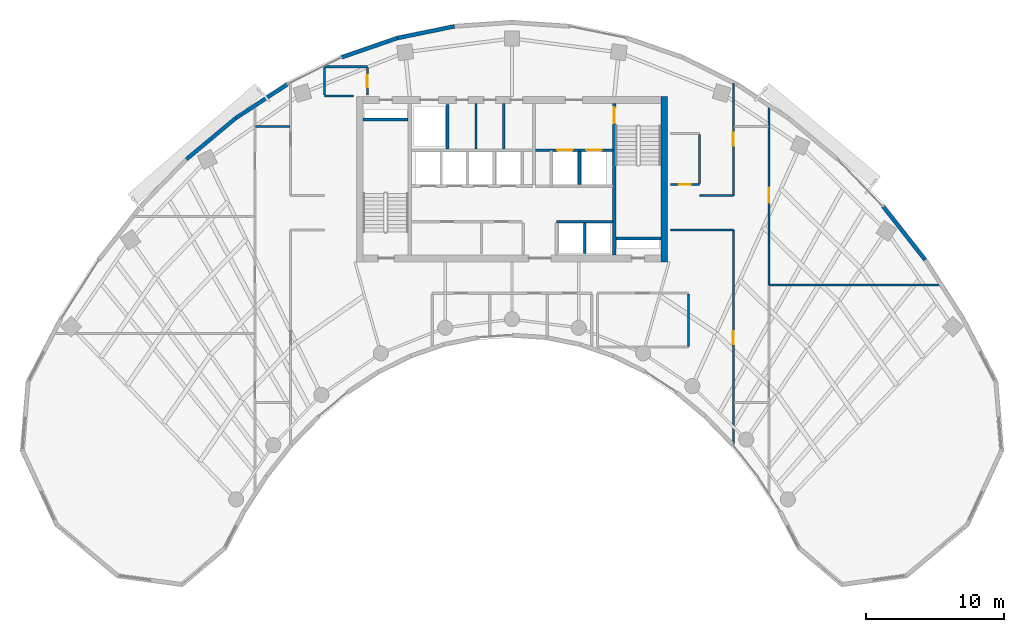
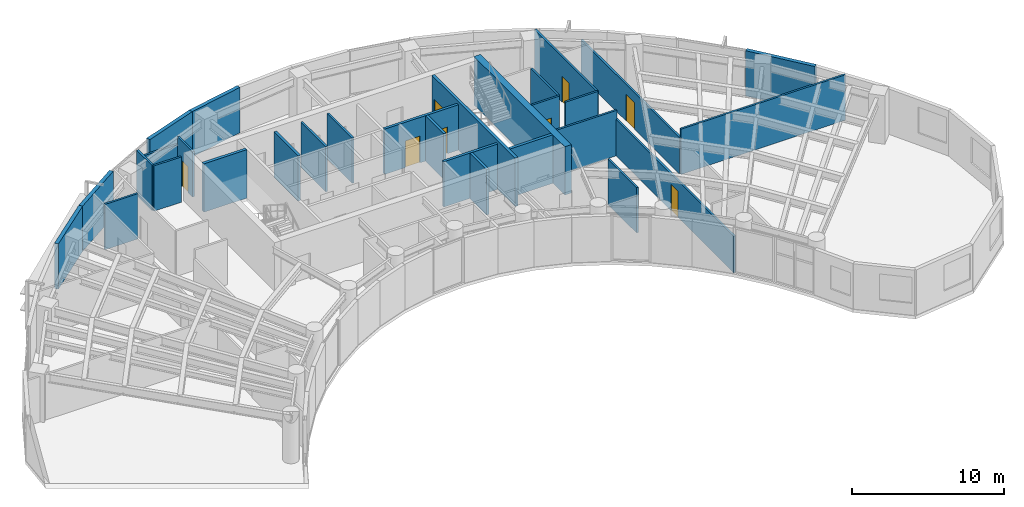
# One storey, part 9 of 13: 30 walls, 8 doors, 8 openings.
"""IFC4 building model written with IfcOpenShell, lengths in metres."""

from ifc_helpers import new_model, si_unit, direction, frame, frame_2d, origin, place, context, subcontext, project, spatial, rectangle, extrude, source, transform, mapped, material, layer, layer_set, type_object, type_shapes, element, fill, save


model = new_model("IFC4")

# Units and contexts
model_context = context("Model", 3, precision=1e-05, world=origin(), true_north=direction((0.0, 1.0)))
body_context = subcontext(model_context, "Body", "Model", "MODEL_VIEW")
ifc_project = project(units=[si_unit("LENGTHUNIT", "METRE"), si_unit("AREAUNIT", "SQUARE_METRE"), si_unit("VOLUMEUNIT", "CUBIC_METRE"), si_unit("PLANEANGLEUNIT", "RADIAN"), si_unit("MASSUNIT", "GRAM", prefix="KILO")], contexts=[model_context])

# Site, building, storey
site_placement = place(None, origin())
site = spatial("IfcSite", under=ifc_project, at=site_placement, CompositionType="ELEMENT")
building_placement = place(site_placement, origin())
building = spatial("IfcBuilding", under=site, at=building_placement, Name="Breltana Convention Tower", CompositionType="ELEMENT")
storey_placement = place(building_placement, frame((0.0, 0.0, 142.800048828125)))
storey = spatial("IfcBuildingStorey", under=building, at=storey_placement, Name="L34", CompositionType="ELEMENT", Elevation=142.800048828125)

# Walls
ifc_material_1 = material(Name="Concrete C60/75", Category="concrete")
ifc_layer_1 = layer(ifc_material_1, 0.5, Name="Concrete C60/75")
ifc_layer_set_1 = layer_set([ifc_layer_1], Name="Concrete C60/75")
wall_type_1 = type_object("IfcWallType", Name="SW-CORE-500", PredefinedType="SHEAR", material=ifc_layer_set_1)
shared_shape_1 = source(origin(), body_context, "Body", "SweptSolid", [
    extrude(rectangle(XDim=12.0, YDim=0.5, at=frame_2d((6.0, 0.0))), origin(), (0.0, 0.0, 1.0), 3.89990234375),
])
wall_1_placement = place(storey_placement, frame((59.050048828125, 60.199951171875, 0.0), z_axis=(0.0, 0.0, 1.0), x_axis=(0.0, 1.0, 0.0)))
element("IfcWall", 1, at=wall_1_placement, inside=storey, type_object=wall_type_1, Name="L34 East Core Shear Wall", PredefinedType="SHEAR", context=body_context, shape_type="MappedRepresentation", body=[
    mapped(shared_shape_1, transform((0.0, 0.0, 0.0), scale=1.0)),
])
ifc_material_2 = material(Name="Concrete C50/60", Category="concrete")
ifc_layer_2 = layer(ifc_material_2, 0.39990234375, Name="Concrete C50/60")
ifc_layer_set_2 = layer_set([ifc_layer_2], Name="Concrete C50/60")
wall_type_2 = type_object("IfcWallType", Name="SW-CORE-400", PredefinedType="SHEAR", material=ifc_layer_set_2)
shared_shape_2 = source(origin(), body_context, "Body", "SweptSolid", [
    extrude(rectangle(XDim=3.27001953125, YDim=0.219970703125, at=frame_2d((1.635009765625, 0.0))), origin(), (0.0, 0.0, 1.0), 3.89990234375),
])
for number, where, z_axis, x_axis, name in (
    (2, (37.199951171875, 70.510009765625, 0.0), (0.0, 0.0, 1.0), (1.0, 0.0, 0.0), "L34 ST-1 Stairwell North Bearing Wall"),
    (3, (55.530029296875, 61.889892578125, 0.0), (0.0, 0.0, 1.0), (1.0, 0.0, 0.0), "L34 ST-2 Stairwell South Bearing Wall"),
):
    element("IfcWall", number, at=place(storey_placement, frame(where, z_axis=z_axis, x_axis=x_axis)), inside=storey, type_object=wall_type_2, Name=name, PredefinedType="SHEAR", context=body_context, shape_type="MappedRepresentation", body=[
        mapped(shared_shape_2, transform((0.0, 0.0, 0.0), scale=1.0)),
    ])

# Wall, opening, door
shared_shape_3 = source(origin(), body_context, "Body", "SweptSolid", [
    extrude(rectangle(XDim=11.0, YDim=0.219970703125, at=frame_2d((5.5, 0.0))), origin(), (0.0, 0.0, 1.0), 3.89990234375),
])
wall_2_placement = place(storey_placement, frame((55.419921875, 60.699951171875, 0.0), z_axis=(0.0, 0.0, 1.0), x_axis=(0.0, 1.0, 0.0)))
wall_2 = element("IfcWall", 4, at=wall_2_placement, inside=storey, type_object=wall_type_2, Name="L34 Core East Stair Spine Wall", PredefinedType="SHEAR", context=body_context, shape_type="MappedRepresentation", body=[
    mapped(shared_shape_3, transform((0.0, 0.0, 0.0), scale=1.0)),
])
opening_1_placement = place(wall_2_placement, frame((9.544921875, 0.0, 0.0)))
opening_1 = element("IfcOpeningElement", 5, at=opening_1_placement, cuts=wall_2, Name="Opening D-11", PredefinedType="OPENING", context=body_context, shape_type="SweptSolid", body=[
    extrude(rectangle(XDim=1.14990234375, YDim=2.14990234375, at=frame_2d((0.574951171875, 1.074951171875))), frame((0.0, 0.1201171875, 0.0), z_axis=(0.0, -1.0, 0.0), x_axis=(1.0, 0.0, 0.0)), (0.0, 0.0, 1.0), 0.239990234375),
])
ifc_material_3 = material(Name="Steel Stair Exit Door", Category="steel")
door_type_1 = type_object("IfcDoorType", Name="DR-FD120-1150", OperationType="NOTDEFINED", PredefinedType="DOOR", material=ifc_material_3)
shared_shape_4 = source(origin(), body_context, "Body", "SweptSolid", [
    extrude(rectangle(XDim=1.14990234375, YDim=2.14990234375, at=frame_2d((0.574951171875, 1.074951171875))), frame((0.0, 0.02490234375, 0.0), z_axis=(0.0, -1.0, 0.0), x_axis=(1.0, 0.0, 0.0)), (0.0, 0.0, 1.0), 0.050048828125),
])
type_shapes(door_type_1, [shared_shape_4])
door_1_placement = place(opening_1_placement, origin())
door_1 = element("IfcDoor", 6, at=door_1_placement, inside=storey, type_object=door_type_1, Name="L34 interior door D-L34-ST2", OperationType="SINGLE_SWING_LEFT", OverallHeight=2.14990234375, OverallWidth=1.14990234375, PredefinedType="DOOR", context=body_context, shape_type="MappedRepresentation", body=[
    mapped(shared_shape_4, transform((0.0, 0.0, 0.0), scale=1.0)),
])
fill(opening_1, door_1)

# Walls
ifc_material_4 = material(Name="Limestone Buff Insulated Wall", Category="masonry")
ifc_layer_3 = layer(ifc_material_4, 0.280029296875, Name="Limestone Buff Insulated Wall")
ifc_layer_set_3 = layer_set([ifc_layer_3], Name="Limestone Buff Insulated Wall")
wall_type_3 = type_object("IfcWallType", Name="WL-EXT-NOSE-280", PredefinedType="SOLIDWALL", material=ifc_layer_set_3)
shared_shape_5 = source(origin(), body_context, "Body", "SweptSolid", [
    extrude(rectangle(XDim=4.921630859375, YDim=0.280029296875, at=frame_2d((2.4609375, 0.0))), origin(), (0.0, 0.0, 1.0), 3.64990234375),
])
wall_3_placement = place(storey_placement, frame((74.936279296875, 64.206298828125, 0.0), z_axis=(0.0, 0.0, 1.0), x_axis=(0.61817639101, -0.786039407153, 0.0)))
element("IfcWall", 7, at=wall_3_placement, inside=storey, type_object=wall_type_3, Name="L34 curved limestone nose wall E32", PredefinedType="SOLIDWALL", context=body_context, shape_type="MappedRepresentation", body=[
    mapped(shared_shape_5, transform((0.0, 0.0, 0.0), scale=1.0)),
])
shared_shape_6 = source(origin(), body_context, "Body", "SweptSolid", [
    extrude(rectangle(XDim=4.633544921875, YDim=0.280029296875, at=frame_2d((2.31689453125, 0.0))), origin(), (0.0, 0.0, 1.0), 3.64990234375),
])
wall_4_placement = place(storey_placement, frame((24.381103515625, 67.64208984375, 0.0), z_axis=(0.0, 0.0, 1.0), x_axis=(0.767910229096, 0.640557475993, 0.0)))
element("IfcWall", 8, at=wall_4_placement, inside=storey, type_object=wall_type_3, Name="L34 curved limestone nose wall E22", PredefinedType="SOLIDWALL", context=body_context, shape_type="MappedRepresentation", body=[
    mapped(shared_shape_6, transform((0.0, 0.0, 0.0), scale=1.0)),
])
shared_shape_7 = source(origin(), body_context, "Body", "SweptSolid", [
    extrude(rectangle(XDim=4.500732421875, YDim=0.280029296875, at=frame_2d((2.25048828125, 0.0))), origin(), (0.0, 0.0, 1.0), 3.64990234375),
])
wall_5_placement = place(storey_placement, frame((27.939208984375, 70.610107421875, 0.0), z_axis=(0.0, 0.0, 1.0), x_axis=(0.835984920737, 0.548752414391, 0.0)))
element("IfcWall", 9, at=wall_5_placement, inside=storey, type_object=wall_type_3, Name="L34 curved limestone nose wall E23", PredefinedType="SOLIDWALL", context=body_context, shape_type="MappedRepresentation", body=[
    mapped(shared_shape_7, transform((0.0, 0.0, 0.0), scale=1.0)),
])
shared_shape_8 = source(origin(), body_context, "Body", "SweptSolid", [
    extrude(rectangle(XDim=4.289794921875, YDim=0.280029296875, at=frame_2d((2.14501953125, 0.0))), origin(), (0.0, 0.0, 1.0), 3.64990234375),
])
wall_6_placement = place(storey_placement, frame((35.629638671875, 75.02685546875, 0.0), z_axis=(0.0, 0.0, 1.0), x_axis=(0.944883859218, 0.3274057003, 0.0)))
element("IfcWall", 10, at=wall_6_placement, inside=storey, type_object=wall_type_3, Name="L34 curved limestone nose wall E24", PredefinedType="SOLIDWALL", context=body_context, shape_type="MappedRepresentation", body=[
    mapped(shared_shape_8, transform((0.0, 0.0, 0.0), scale=1.0)),
])
shared_shape_9 = source(origin(), body_context, "Body", "SweptSolid", [
    extrude(rectangle(XDim=4.223388671875, YDim=0.280029296875, at=frame_2d((2.11181640625, 0.0))), origin(), (0.0, 0.0, 1.0), 3.64990234375),
])
wall_7_placement = place(storey_placement, frame((39.68310546875, 76.431396484375, 0.0), z_axis=(0.0, 0.0, 1.0), x_axis=(0.979615245085, 0.200882979858, 0.0)))
element("IfcWall", 11, at=wall_7_placement, inside=storey, type_object=wall_type_3, Name="L34 curved limestone nose wall E25", PredefinedType="SOLIDWALL", context=body_context, shape_type="MappedRepresentation", body=[
    mapped(shared_shape_9, transform((0.0, 0.0, 0.0), scale=1.0)),
])

# Wall, openings, doors
ifc_material_5 = material(Name="Autoclaved Aerated Concrete Block", Category="concrete")
ifc_layer_4 = layer(ifc_material_5, 0.199951171875, Name="Autoclaved Aerated Concrete Block")
ifc_layer_set_4 = layer_set([ifc_layer_4], Name="Autoclaved Aerated Concrete Block")
wall_type_4 = type_object("IfcWallType", Name="WL-SHAFT-200", PredefinedType="SOLIDWALL", material=ifc_layer_set_4)
shared_shape_10 = source(origin(), body_context, "Body", "SweptSolid", [
    extrude(rectangle(XDim=5.6201171875, YDim=0.199951171875, at=frame_2d((2.81005859375, 0.0))), origin(), (0.0, 0.0, 1.0), 3.64990234375),
])
wall_8_placement = place(storey_placement, frame((49.699951171875, 68.300048828125, 0.0), z_axis=(0.0, 0.0, 1.0), x_axis=(1.0, 0.0, 0.0)))
wall_8 = element("IfcWall", 12, at=wall_8_placement, inside=storey, type_object=wall_type_4, Name="L34 interior partition W-L34-FFL-S", PredefinedType="SOLIDWALL", context=body_context, shape_type="MappedRepresentation", body=[
    mapped(shared_shape_10, transform((0.0, 0.0, 0.0), scale=1.0)),
])
opening_2_placement = place(wall_8_placement, frame((1.60009765625, 0.0, 0.0)))
opening_2 = element("IfcOpeningElement", 13, at=opening_2_placement, cuts=wall_8, Name="Opening LD-03", PredefinedType="OPENING", context=body_context, shape_type="SweptSolid", body=[
    extrude(rectangle(XDim=1.10009765625, YDim=2.14990234375, at=frame_2d((0.550048828125, 1.074951171875))), frame((0.0, 0.10986328125, 0.0), z_axis=(0.0, -1.0, 0.0), x_axis=(1.0, 0.0, 0.0)), (0.0, 0.0, 1.0), 0.219970703125),
])
opening_3_placement = place(wall_8_placement, frame((3.699951171875, 0.0, 0.0)))
opening_3 = element("IfcOpeningElement", 14, at=opening_3_placement, cuts=wall_8, Name="Opening LD-03", PredefinedType="OPENING", context=body_context, shape_type="SweptSolid", body=[
    extrude(rectangle(XDim=1.10009765625, YDim=2.14990234375, at=frame_2d((0.550048828125, 1.074951171875))), frame((0.0, 0.10986328125, 0.0), z_axis=(0.0, -1.0, 0.0), x_axis=(1.0, 0.0, 0.0)), (0.0, 0.0, 1.0), 0.219970703125),
])
ifc_material_6 = material(Name="Stainless Steel Brushed", Category="steel")
door_type_2 = type_object("IfcDoorType", Name="DR-LD-FF-1100", OperationType="DOUBLE_DOOR_SLIDING", PredefinedType="DOOR", material=ifc_material_6)
shared_shape_11 = source(origin(), body_context, "Body", "SweptSolid", [
    extrude(rectangle(XDim=1.10009765625, YDim=2.14990234375, at=frame_2d((0.550048828125, 1.074951171875))), frame((0.0, 0.02490234375, 0.0), z_axis=(0.0, -1.0, 0.0), x_axis=(1.0, 0.0, 0.0)), (0.0, 0.0, 1.0), 0.050048828125),
])
type_shapes(door_type_2, [shared_shape_11])
door_2_placement = place(opening_2_placement, origin())
door_2 = element("IfcDoor", 15, at=door_2_placement, inside=storey, type_object=door_type_2, Name="L34 Lift Landing Door D-L34-LD-FL1", OperationType="DOUBLE_DOOR_SLIDING", OverallHeight=2.14990234375, OverallWidth=1.10009765625, PredefinedType="DOOR", context=body_context, shape_type="MappedRepresentation", body=[
    mapped(shared_shape_11, transform((0.0, 0.0, 0.0), scale=1.0)),
])
fill(opening_2, door_2)
door_3_placement = place(opening_3_placement, origin())
door_3 = element("IfcDoor", 16, at=door_3_placement, inside=storey, type_object=door_type_2, Name="L34 Lift Landing Door D-L34-LD-FL2", OperationType="DOUBLE_DOOR_SLIDING", OverallHeight=2.14990234375, OverallWidth=1.10009765625, PredefinedType="DOOR", context=body_context, shape_type="MappedRepresentation", body=[
    mapped(shared_shape_11, transform((0.0, 0.0, 0.0), scale=1.0)),
])
fill(opening_3, door_3)

# Walls
shared_shape_12 = source(origin(), body_context, "Body", "SweptSolid", [
    extrude(rectangle(XDim=2.39990234375, YDim=0.199951171875, at=frame_2d((1.199951171875, 0.0))), origin(), (0.0, 0.0, 1.0), 3.64990234375),
])
wall_9_placement = place(storey_placement, frame((52.89990234375, 65.800048828125, 0.0), z_axis=(0.0, 0.0, 1.0), x_axis=(0.0, 1.0, 0.0)))
element("IfcWall", 17, at=wall_9_placement, inside=storey, type_object=wall_type_4, Name="L34 interior partition W-L34-FL-DIV", PredefinedType="SOLIDWALL", context=body_context, shape_type="MappedRepresentation", body=[
    mapped(shared_shape_12, transform((0.0, 0.0, 0.0), scale=1.0)),
])
shared_shape_13 = source(origin(), body_context, "Body", "SweptSolid", [
    extrude(rectangle(XDim=3.2001953125, YDim=0.199951171875, at=frame_2d((1.60009765625, 0.0))), origin(), (0.0, 0.0, 1.0), 3.64990234375),
])
wall_10_placement = place(storey_placement, frame((43.320068359375, 68.39990234375, 0.0), z_axis=(0.0, 0.0, 1.0), x_axis=(0.0, 1.0, 0.0)))
element("IfcWall", 18, at=wall_10_placement, inside=storey, type_object=wall_type_4, Name="L34 interior partition W-L34-SV-E", PredefinedType="SOLIDWALL", context=body_context, shape_type="MappedRepresentation", body=[
    mapped(shared_shape_13, transform((0.0, 0.0, 0.0), scale=1.0)),
])
shared_shape_14 = source(origin(), body_context, "Body", "SweptSolid", [
    extrude(rectangle(XDim=4.10009765625, YDim=0.199951171875, at=frame_2d((2.050048828125, 0.0))), origin(), (0.0, 0.0, 1.0), 3.64990234375),
])
wall_11_placement = place(storey_placement, frame((51.219970703125, 63.10009765625, 0.0), z_axis=(0.0, 0.0, 1.0), x_axis=(1.0, 0.0, 0.0)))
element("IfcWall", 19, at=wall_11_placement, inside=storey, type_object=wall_type_4, Name="L34 interior partition W-L34-SH-X-FRONT", PredefinedType="SOLIDWALL", context=body_context, shape_type="MappedRepresentation", body=[
    mapped(shared_shape_14, transform((0.0, 0.0, 0.0), scale=1.0)),
])
shared_shape_15 = source(origin(), body_context, "Body", "SweptSolid", [
    extrude(rectangle(XDim=2.199951171875, YDim=0.199951171875, at=frame_2d((1.10009765625, 0.0))), origin(), (0.0, 0.0, 1.0), 3.64990234375),
])
wall_12_placement = place(storey_placement, frame((53.280029296875, 60.800048828125, 0.0), z_axis=(0.0, 0.0, 1.0), x_axis=(0.0, 1.0, 0.0)))
element("IfcWall", 20, at=wall_12_placement, inside=storey, type_object=wall_type_4, Name="L34 interior partition W-L34-SH-X-DIV", PredefinedType="SOLIDWALL", context=body_context, shape_type="MappedRepresentation", body=[
    mapped(shared_shape_15, transform((0.0, 0.0, 0.0), scale=1.0)),
])
ifc_material_7 = material(Name="Gypsum Acoustic Drywall Partition")
ifc_layer_5 = layer(ifc_material_7, 0.14990234375, Name="Gypsum Acoustic Drywall Partition")
ifc_layer_set_5 = layer_set([ifc_layer_5], Name="Gypsum Acoustic Drywall Partition")
wall_type_5 = type_object("IfcWallType", Name="WL-PART-150", PredefinedType="PARTITIONING", material=ifc_layer_set_5)
shared_shape_16 = source(origin(), body_context, "Body", "SweptSolid", [
    extrude(rectangle(XDim=3.78515625, YDim=0.14990234375, at=frame_2d((1.892578125, 0.0))), origin(), (0.0, 0.0, 1.0), 3.64990234375),
])
wall_13_placement = place(storey_placement, frame((60.800048828125, 54.0673828125, 0.0), z_axis=(0.0, 0.0, 1.0), x_axis=(0.0, 1.0, 0.0)))
element("IfcWall", 21, at=wall_13_placement, inside=storey, type_object=wall_type_5, Name="L34 interior partition W-L34-PNT-E", PredefinedType="PARTITIONING", context=body_context, shape_type="MappedRepresentation", body=[
    mapped(shared_shape_16, transform((0.0, 0.0, 0.0), scale=1.0)),
])
shared_shape_17 = source(origin(), body_context, "Body", "SweptSolid", [
    extrude(rectangle(XDim=2.5, YDim=0.14990234375, at=frame_2d((1.25, 0.0))), origin(), (0.0, 0.0, 1.0), 3.64990234375),
])
wall_14_placement = place(storey_placement, frame((29.39990234375, 70.0, 0.0), z_axis=(0.0, 0.0, 1.0), x_axis=(1.0, 0.0, 0.0)))
element("IfcWall", 22, at=wall_14_placement, inside=storey, type_object=wall_type_5, Name="L34 interior partition W-L34-CORNW-N", PredefinedType="PARTITIONING", context=body_context, shape_type="MappedRepresentation", body=[
    mapped(shared_shape_17, transform((0.0, 0.0, 0.0), scale=1.0)),
])
shared_shape_18 = source(origin(), body_context, "Body", "SweptSolid", [
    extrude(rectangle(XDim=3.280029296875, YDim=0.14990234375, at=frame_2d((1.64013671875, 0.0))), origin(), (0.0, 0.0, 1.0), 3.64990234375),
])
for number, where, z_axis, x_axis, name in (
    (23, (45.39990234375, 68.39990234375, 0.0), (0.0, 0.0, 1.0), (0.0, 1.0, 0.0), "L34 interior partition W-L34-KV-1"),
    (24, (47.39990234375, 68.39990234375, 0.0), (0.0, 0.0, 1.0), (0.0, 1.0, 0.0), "L34 interior partition W-L34-KV-2"),
):
    element("IfcWall", number, at=place(storey_placement, frame(where, z_axis=z_axis, x_axis=x_axis)), inside=storey, type_object=wall_type_5, Name=name, PredefinedType="PARTITIONING", context=body_context, shape_type="MappedRepresentation", body=[
        mapped(shared_shape_18, transform((0.0, 0.0, 0.0), scale=1.0)),
    ])
shared_shape_19 = source(origin(), body_context, "Body", "SweptSolid", [
    extrude(rectangle(XDim=2.10009765625, YDim=0.14990234375, at=frame_2d((1.050048828125, 0.0))), origin(), (0.0, 0.0, 1.0), 3.64990234375),
])
wall_15_placement = place(storey_placement, frame((34.39990234375, 72.219970703125, 0.0), z_axis=(0.0, 0.0, 1.0), x_axis=(1.0, 0.0, 0.0)))
element("IfcWall", 25, at=wall_15_placement, inside=storey, type_object=wall_type_5, Name="L34 interior partition W-L34-CRNE-S", PredefinedType="PARTITIONING", context=body_context, shape_type="MappedRepresentation", body=[
    mapped(shared_shape_19, transform((0.0, 0.0, 0.0), scale=1.0)),
])

# Wall, opening, door
wall_16_placement = place(storey_placement, frame((59.5, 65.800048828125, 0.0), z_axis=(0.0, 0.0, 1.0), x_axis=(1.0, 0.0, 0.0)))
wall_16 = element("IfcWall", 26, at=wall_16_placement, inside=storey, type_object=wall_type_5, Name="L34 interior partition W-L34-CRSE-S", PredefinedType="PARTITIONING", context=body_context, shape_type="MappedRepresentation", body=[
    mapped(shared_shape_19, transform((0.0, 0.0, 0.0), scale=1.0)),
])
opening_4_placement = place(wall_16_placement, frame((0.625, 0.0, 0.0)))
opening_4 = element("IfcOpeningElement", 27, at=opening_4_placement, cuts=wall_16, Name="Opening D-20", PredefinedType="OPENING", context=body_context, shape_type="SweptSolid", body=[
    extrude(rectangle(XDim=0.85009765625, YDim=2.10009765625, at=frame_2d((0.425048828125, 1.050048828125))), frame((0.0, 0.0849609375, 0.0), z_axis=(0.0, -1.0, 0.0), x_axis=(1.0, 0.0, 0.0)), (0.0, 0.0, 1.0), 0.169921875),
])
ifc_material_8 = material(Name="Steel Closet Fire Door", Category="steel")
door_type_3 = type_object("IfcDoorType", Name="DR-FD60-850", OperationType="NOTDEFINED", PredefinedType="DOOR", material=ifc_material_8)
shared_shape_20 = source(origin(), body_context, "Body", "SweptSolid", [
    extrude(rectangle(XDim=0.85009765625, YDim=2.10009765625, at=frame_2d((0.425048828125, 1.050048828125))), frame((0.0, 0.02490234375, 0.0), z_axis=(0.0, -1.0, 0.0), x_axis=(1.0, 0.0, 0.0)), (0.0, 0.0, 1.0), 0.050048828125),
])
type_shapes(door_type_3, [shared_shape_20])
door_4_placement = place(opening_4_placement, origin())
door_4 = element("IfcDoor", 28, at=door_4_placement, inside=storey, type_object=door_type_3, Name="L34 interior door D-L34-CRSE", OperationType="SINGLE_SWING_RIGHT", OverallHeight=2.10009765625, OverallWidth=0.85009765625, PredefinedType="DOOR", context=body_context, shape_type="MappedRepresentation", body=[
    mapped(shared_shape_20, transform((0.0, 0.0, 0.0), scale=1.0)),
])
fill(opening_4, door_4)

# Wall
shared_shape_21 = source(origin(), body_context, "Body", "SweptSolid", [
    extrude(rectangle(XDim=1.994873046875, YDim=0.14990234375, at=frame_2d((0.99755859375, 0.0))), origin(), (0.0, 0.0, 1.0), 3.64990234375),
])
wall_17_placement = place(storey_placement, frame((34.39990234375, 72.28759765625, 0.0), z_axis=(0.0, 0.0, 1.0), x_axis=(0.0, 1.0, 0.0)))
element("IfcWall", 29, at=wall_17_placement, inside=storey, type_object=wall_type_5, Name="L34 interior partition W-L34-CRNE-W", PredefinedType="PARTITIONING", context=body_context, shape_type="MappedRepresentation", body=[
    mapped(shared_shape_21, transform((0.0, 0.0, 0.0), scale=1.0)),
])

# Wall, opening, door
shared_shape_22 = source(origin(), body_context, "Body", "SweptSolid", [
    extrude(rectangle(XDim=1.982421875, YDim=0.14990234375, at=frame_2d((0.9912109375, 0.0))), origin(), (0.0, 0.0, 1.0), 3.64990234375),
])
wall_18_placement = place(storey_placement, frame((37.5, 72.300048828125, 0.0), z_axis=(0.0, 0.0, 1.0), x_axis=(0.0, 1.0, 0.0)))
wall_18 = element("IfcWall", 30, at=wall_18_placement, inside=storey, type_object=wall_type_5, Name="L34 interior partition W-L34-CRNE-E", PredefinedType="PARTITIONING", context=body_context, shape_type="MappedRepresentation", body=[
    mapped(shared_shape_22, transform((0.0, 0.0, 0.0), scale=1.0)),
])
opening_5_placement = place(wall_18_placement, frame((0.56640625, 0.0, 0.0)))
opening_5 = element("IfcOpeningElement", 31, at=opening_5_placement, cuts=wall_18, Name="Opening D-20", PredefinedType="OPENING", context=body_context, shape_type="SweptSolid", body=[
    extrude(rectangle(XDim=0.85009765625, YDim=2.10009765625, at=frame_2d((0.425048828125, 1.050048828125))), frame((0.0, 0.0849609375, 0.0), z_axis=(0.0, -1.0, 0.0), x_axis=(1.0, 0.0, 0.0)), (0.0, 0.0, 1.0), 0.169921875),
])
door_5_placement = place(opening_5_placement, origin())
door_5 = element("IfcDoor", 32, at=door_5_placement, inside=storey, type_object=door_type_3, Name="L34 interior door D-L34-CRNE", OperationType="SINGLE_SWING_LEFT", OverallHeight=2.10009765625, OverallWidth=0.85009765625, PredefinedType="DOOR", context=body_context, shape_type="MappedRepresentation", body=[
    mapped(shared_shape_20, transform((0.0, 0.0, 0.0), scale=1.0)),
])
fill(opening_5, door_5)

# Walls
shared_shape_23 = source(origin(), body_context, "Body", "SweptSolid", [
    extrude(rectangle(XDim=3.10009765625, YDim=0.14990234375, at=frame_2d((1.550048828125, 0.0))), origin(), (0.0, 0.0, 1.0), 3.02197265625),
])
wall_19_placement = place(storey_placement, frame((34.39990234375, 74.35009765625, 0.0), z_axis=(0.0, 0.0, 1.0), x_axis=(1.0, 0.0, 0.0)))
element("IfcWall", 33, at=wall_19_placement, inside=storey, type_object=wall_type_5, Name="L34 interior partition W-L34-CRNE-N", PredefinedType="PARTITIONING", context=body_context, shape_type="MappedRepresentation", body=[
    mapped(shared_shape_23, transform((0.0, 0.0, 0.0), scale=1.0)),
])
shared_shape_24 = source(origin(), body_context, "Body", "SweptSolid", [
    extrude(rectangle(XDim=3.565185546875, YDim=0.14990234375, at=frame_2d((1.78271484375, 0.0))), origin(), (0.0, 0.0, 1.0), 3.64990234375),
])
wall_20_placement = place(storey_placement, frame((61.60009765625, 65.867431640625, 0.0), z_axis=(0.0, 0.0, 1.0), x_axis=(0.0, 1.0, 0.0)))
element("IfcWall", 34, at=wall_20_placement, inside=storey, type_object=wall_type_5, Name="L34 interior partition W-L34-CRSE-E", PredefinedType="PARTITIONING", context=body_context, shape_type="MappedRepresentation", body=[
    mapped(shared_shape_24, transform((0.0, 0.0, 0.0), scale=1.0)),
])
shared_shape_25 = source(origin(), body_context, "Body", "SweptSolid", [
    extrude(rectangle(XDim=12.506591796875, YDim=0.14990234375, at=frame_2d((6.25341796875, 0.0))), origin(), (0.0, 0.0, 1.0), 3.64990234375),
])
wall_21_placement = place(storey_placement, frame((66.639892578125, 58.5, 0.0), z_axis=(0.0, 0.0, 1.0), x_axis=(1.0, 0.0, 0.0)))
element("IfcWall", 35, at=wall_21_placement, inside=storey, type_object=wall_type_5, Name="L34 interior partition W-L34-ZE1-N", PredefinedType="PARTITIONING", context=body_context, shape_type="MappedRepresentation", body=[
    mapped(shared_shape_25, transform((0.0, 0.0, 0.0), scale=1.0)),
])

# Wall, opening, door
shared_shape_26 = source(origin(), body_context, "Body", "SweptSolid", [
    extrude(rectangle(XDim=13.03076171875, YDim=0.14990234375, at=frame_2d((6.515380859375, 0.0))), origin(), (0.0, 0.0, 1.0), 2.94189453125),
])
wall_22_placement = place(storey_placement, frame((66.639892578125, 58.5, 0.0), z_axis=(0.0, 0.0, 1.0), x_axis=(0.0, 1.0, 0.0)))
wall_22 = element("IfcWall", 36, at=wall_22_placement, inside=storey, type_object=wall_type_5, Name="L34 interior partition W-L34-ZE2-W", PredefinedType="PARTITIONING", context=body_context, shape_type="MappedRepresentation", body=[
    mapped(shared_shape_26, transform((0.0, 0.0, 0.0), scale=1.0)),
])
opening_6_placement = place(wall_22_placement, frame((5.96533203125, 0.0, 0.0)))
opening_6 = element("IfcOpeningElement", 37, at=opening_6_placement, cuts=wall_22, Name="Opening D-12", PredefinedType="OPENING", context=body_context, shape_type="SweptSolid", body=[
    extrude(rectangle(XDim=1.10009765625, YDim=2.14990234375, at=frame_2d((0.550048828125, 1.074951171875))), frame((0.0, 0.0849609375, 0.0), z_axis=(0.0, -1.0, 0.0), x_axis=(1.0, 0.0, 0.0)), (0.0, 0.0, 1.0), 0.169921875),
])
ifc_material_9 = material(Name="Timber Oak Acoustic Door", Category="wood")
door_type_4 = type_object("IfcDoorType", Name="DR-INT-1100", OperationType="NOTDEFINED", PredefinedType="DOOR", material=ifc_material_9)
shared_shape_27 = source(origin(), body_context, "Body", "SweptSolid", [
    extrude(rectangle(XDim=1.10009765625, YDim=2.14990234375, at=frame_2d((0.550048828125, 1.074951171875))), frame((0.0, 0.02490234375, 0.0), z_axis=(0.0, -1.0, 0.0), x_axis=(1.0, 0.0, 0.0)), (0.0, 0.0, 1.0), 0.050048828125),
])
type_shapes(door_type_4, [shared_shape_27])
door_6_placement = place(opening_6_placement, origin())
door_6 = element("IfcDoor", 38, at=door_6_placement, inside=storey, type_object=door_type_4, Name="L34 interior door D-L34-ZE2", OperationType="SINGLE_SWING_LEFT", OverallHeight=2.14990234375, OverallWidth=1.10009765625, PredefinedType="DOOR", context=body_context, shape_type="MappedRepresentation", body=[
    mapped(shared_shape_27, transform((0.0, 0.0, 0.0), scale=1.0)),
])
fill(opening_6, door_6)

shared_shape_28 = source(origin(), body_context, "Body", "SweptSolid", [
    extrude(rectangle(XDim=15.597900390625, YDim=0.14990234375, at=frame_2d((7.798828125, 0.0))), origin(), (0.0, 0.0, 1.0), 2.94189453125),
])
wall_23_placement = place(storey_placement, frame((64.06005859375, 46.902099609375, 0.0), z_axis=(0.0, 0.0, 1.0), x_axis=(0.0, 1.0, 0.0)))
wall_23 = element("IfcWall", 39, at=wall_23_placement, inside=storey, type_object=wall_type_5, Name="L34 interior partition W-L34-ZME1-D", PredefinedType="PARTITIONING", context=body_context, shape_type="MappedRepresentation", body=[
    mapped(shared_shape_28, transform((0.0, 0.0, 0.0), scale=1.0)),
])
opening_7_placement = place(wall_23_placement, frame((7.323974609375, 0.0, 0.0)))
opening_7 = element("IfcOpeningElement", 40, at=opening_7_placement, cuts=wall_23, Name="Opening D-17", PredefinedType="OPENING", context=body_context, shape_type="SweptSolid", body=[
    extrude(rectangle(XDim=0.949951171875, YDim=2.10009765625, at=frame_2d((0.47509765625, 1.050048828125))), frame((0.0, 0.0849609375, 0.0), z_axis=(0.0, -1.0, 0.0), x_axis=(1.0, 0.0, 0.0)), (0.0, 0.0, 1.0), 0.169921875),
])
ifc_material_10 = material(Name="Timber Oak Veneer Door", Category="wood")
door_type_5 = type_object("IfcDoorType", Name="DR-INT-950", OperationType="NOTDEFINED", PredefinedType="DOOR", material=ifc_material_10)
shared_shape_29 = source(origin(), body_context, "Body", "SweptSolid", [
    extrude(rectangle(XDim=0.949951171875, YDim=2.10009765625, at=frame_2d((0.47509765625, 1.050048828125))), frame((0.0, 0.02490234375, 0.0), z_axis=(0.0, -1.0, 0.0), x_axis=(1.0, 0.0, 0.0)), (0.0, 0.0, 1.0), 0.050048828125),
])
type_shapes(door_type_5, [shared_shape_29])
door_7_placement = place(opening_7_placement, origin())
door_7 = element("IfcDoor", 41, at=door_7_placement, inside=storey, type_object=door_type_5, Name="L34 interior door D-L34-ZME1", OperationType="SINGLE_SWING_RIGHT", OverallHeight=2.10009765625, OverallWidth=0.949951171875, PredefinedType="DOOR", context=body_context, shape_type="MappedRepresentation", body=[
    mapped(shared_shape_29, transform((0.0, 0.0, 0.0), scale=1.0)),
])
fill(opening_7, door_7)

# Wall
shared_shape_30 = source(origin(), body_context, "Body", "SweptSolid", [
    extrude(rectangle(XDim=2.4599609375, YDim=0.14990234375, at=frame_2d((1.22998046875, 0.0))), origin(), (0.0, 0.0, 1.0), 3.64990234375),
])
wall_24_placement = place(storey_placement, frame((61.60009765625, 65.0, 0.0), z_axis=(0.0, 0.0, 1.0), x_axis=(1.0, 0.0, 0.0)))
element("IfcWall", 42, at=wall_24_placement, inside=storey, type_object=wall_type_5, Name="L34 interior partition W-L34-ZME2-TS", PredefinedType="PARTITIONING", context=body_context, shape_type="MappedRepresentation", body=[
    mapped(shared_shape_30, transform((0.0, 0.0, 0.0), scale=1.0)),
])

# Wall, opening, door
shared_shape_31 = source(origin(), body_context, "Body", "SweptSolid", [
    extrude(rectangle(XDim=8.186767578125, YDim=0.14990234375, at=frame_2d((4.09326171875, 0.0))), origin(), (0.0, 0.0, 1.0), 3.64990234375),
])
wall_25_placement = place(storey_placement, frame((64.06005859375, 65.0, 0.0), z_axis=(0.0, 0.0, 1.0), x_axis=(0.0, 1.0, 0.0)))
wall_25 = element("IfcWall", 43, at=wall_25_placement, inside=storey, type_object=wall_type_5, Name="L34 interior partition W-L34-ZME2-D", PredefinedType="PARTITIONING", context=body_context, shape_type="MappedRepresentation", body=[
    mapped(shared_shape_31, transform((0.0, 0.0, 0.0), scale=1.0)),
])
opening_8_placement = place(wall_25_placement, frame((3.618408203125, 0.0, 0.0)))
opening_8 = element("IfcOpeningElement", 44, at=opening_8_placement, cuts=wall_25, Name="Opening D-17", PredefinedType="OPENING", context=body_context, shape_type="SweptSolid", body=[
    extrude(rectangle(XDim=0.949951171875, YDim=2.10009765625, at=frame_2d((0.47509765625, 1.050048828125))), frame((0.0, 0.0849609375, 0.0), z_axis=(0.0, -1.0, 0.0), x_axis=(1.0, 0.0, 0.0)), (0.0, 0.0, 1.0), 0.169921875),
])
door_8_placement = place(opening_8_placement, origin())
door_8 = element("IfcDoor", 45, at=door_8_placement, inside=storey, type_object=door_type_5, Name="L34 interior door D-L34-ZME2", OperationType="SINGLE_SWING_LEFT", OverallHeight=2.10009765625, OverallWidth=0.949951171875, PredefinedType="DOOR", context=body_context, shape_type="MappedRepresentation", body=[
    mapped(shared_shape_29, transform((0.0, 0.0, 0.0), scale=1.0)),
])
fill(opening_8, door_8)

# Wall
shared_shape_32 = source(origin(), body_context, "Body", "SweptSolid", [
    extrude(rectangle(XDim=4.56005859375, YDim=0.14990234375, at=frame_2d((2.280029296875, 0.0))), origin(), (0.0, 0.0, 1.0), 3.64990234375),
])
wall_26_placement = place(storey_placement, frame((59.5, 62.5, 0.0), z_axis=(0.0, 0.0, 1.0), x_axis=(1.0, 0.0, 0.0)))
element("IfcWall", 46, at=wall_26_placement, inside=storey, type_object=wall_type_5, Name="L34 interior partition W-L34-ZME1-TN", PredefinedType="PARTITIONING", context=body_context, shape_type="MappedRepresentation", body=[
    mapped(shared_shape_32, transform((0.0, 0.0, 0.0), scale=1.0)),
])

save(model, "model.ifc")
